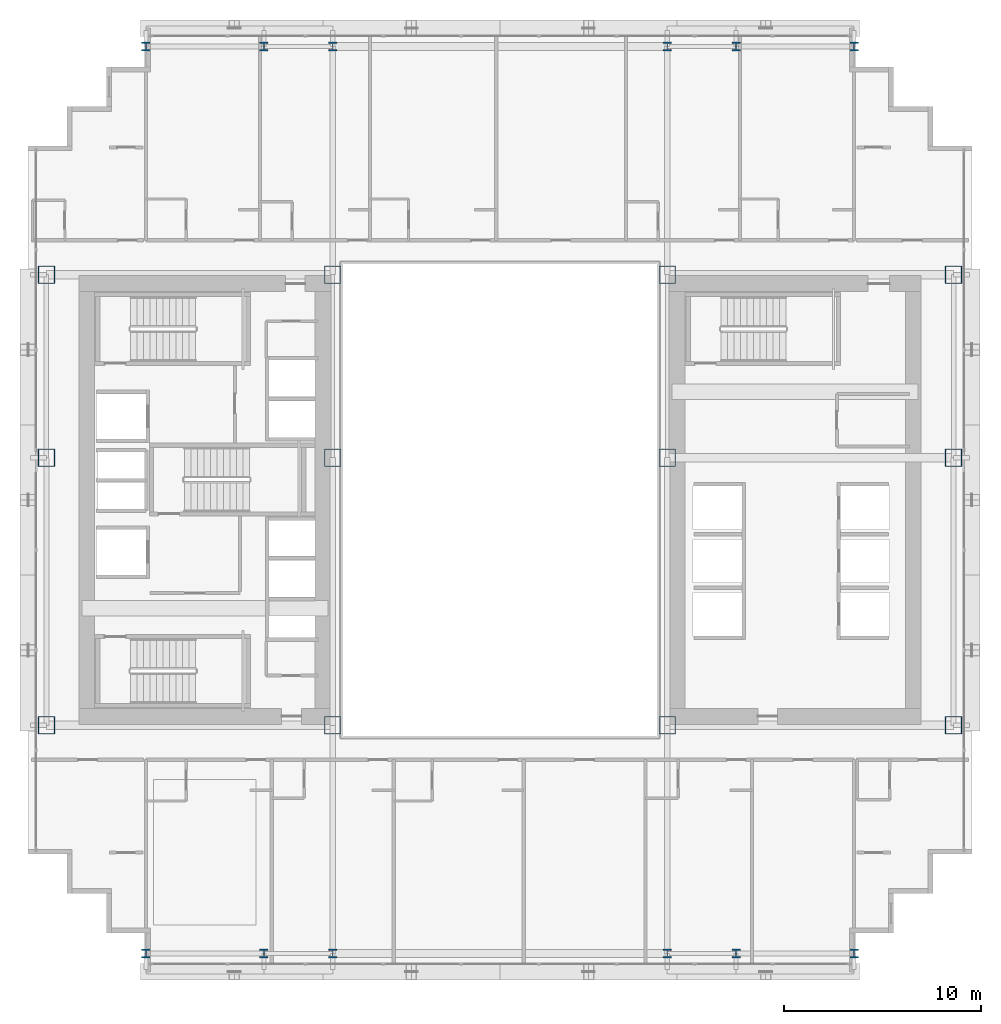
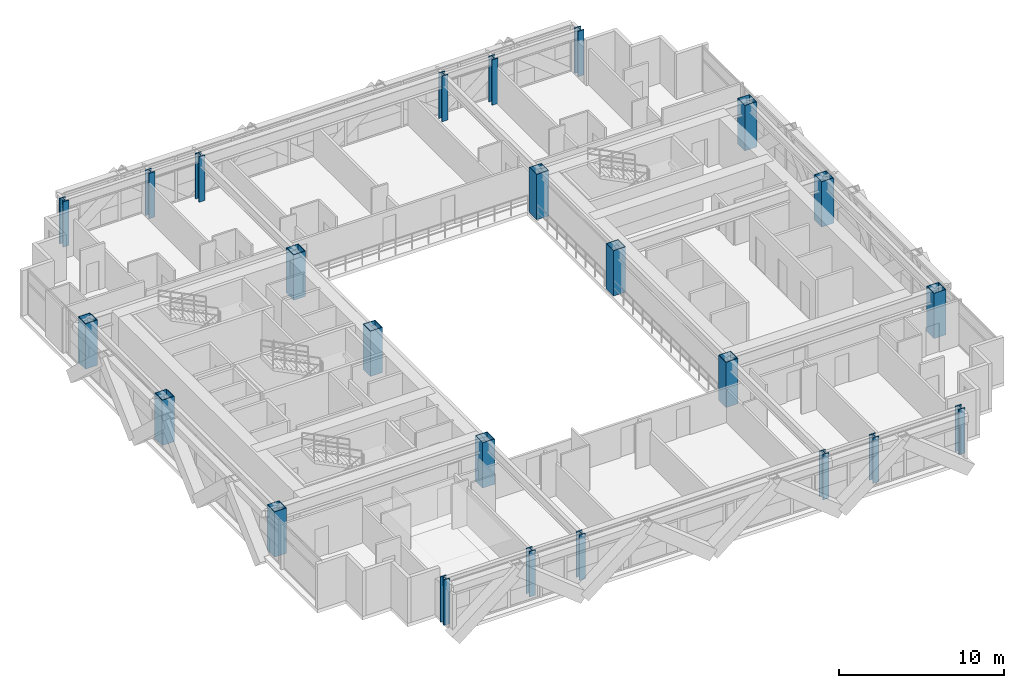
# One storey, part 1 of 35: 24 columns.
"""IFC4 building model written with IfcOpenShell, lengths in metres."""

import ifcopenshell
import ifcopenshell.guid

model = None  # the IFC model being written
_history = None  # IfcOwnerHistory: only IFC2X3 demands one
_inside = {}  # id of a spatial element -> (the spatial element, [elements in it])
_under = {}  # id of a project, library or spatial element -> (it, [spatial elements below it])
_declared = {}  # id of a project -> (the project, [libraries it declares])
_typed = {}  # id of a type object -> (the type object, [elements of that type])
_made_of = {}  # id of a material, layer set ... -> (it, [elements and type objects made of it])


def new_model(schema):
    """Start an empty IFC model of exactly this schema.

    Asked for "IFC4X3", IfcOpenShell would pick the latest addendum, in which some entities
    have other attributes; the version numbers below select the first issue.
    IFC2X3 requires an IfcOwnerHistory on every rooted entity: one is made here for all.
    """
    global model, _history
    if schema == "IFC4X3":
        model = ifcopenshell.file(schema_version=(4, 3, 0, 0))
    else:
        model = ifcopenshell.file(schema=schema)
    _inside.clear()
    _under.clear()
    _declared.clear()
    _typed.clear()
    _made_of.clear()
    _history = None
    if model.schema == "IFC2X3":
        org = make("IfcOrganization", Name="unknown")
        user = make(
            "IfcPersonAndOrganization",
            ThePerson=make("IfcPerson", FamilyName="unknown"),
            TheOrganization=org,
        )
        app = make(
            "IfcApplication",
            ApplicationDeveloper=org,
            Version="unknown",
            ApplicationFullName="unknown",
            ApplicationIdentifier="unknown",
        )
        _history = make(
            "IfcOwnerHistory",
            OwningUser=user,
            OwningApplication=app,
            ChangeAction="ADDED",
            CreationDate=0,
        )
    return model


def make(cls, **values):
    """One entity of the class cls with the attributes given. An attribute that is None is left unset."""
    return model.create_entity(
        cls, **{name: value for name, value in values.items() if value is not None}
    )


def rooted(cls, **values):
    """An entity with a GlobalId (a new one), such as an element, a storey or a relation."""
    return make(cls, GlobalId=ifcopenshell.guid.new(), OwnerHistory=_history, **values)


def si_unit(unit_type, name, prefix=None):
    """IfcSIUnit, for example si_unit("LENGTHUNIT", "METRE", prefix="MILLI")."""
    return make("IfcSIUnit", UnitType=unit_type, Prefix=prefix, Name=name)


def assignment(units):
    """IfcUnitAssignment: the units of a project."""
    return None if units is None else make("IfcUnitAssignment", Units=units)


def point(xyz):
    """IfcCartesianPoint."""
    return None if xyz is None else make("IfcCartesianPoint", Coordinates=xyz)


def direction(xyz):
    """IfcDirection."""
    return None if xyz is None else make("IfcDirection", DirectionRatios=xyz)


def frame(location, z_axis=None, x_axis=None):
    """IfcAxis2Placement3D, a coordinate frame: its origin and axes. An axis left out is left unset."""
    return make(
        "IfcAxis2Placement3D",
        Location=point(location),
        Axis=direction(z_axis),
        RefDirection=direction(x_axis),
    )


def frame_2d(location, x_axis=None):
    """IfcAxis2Placement2D, a coordinate frame in the plane: its origin and x axis."""
    return make(
        "IfcAxis2Placement2D", Location=point(location), RefDirection=direction(x_axis)
    )


def origin():
    """The frame at (0, 0, 0) with its axes left unset."""
    return frame((0.0, 0.0, 0.0))


def origin_2d():
    """The frame at (0, 0) in the plane with its x axis left unset."""
    return frame_2d((0.0, 0.0))


def place(relative_to, where):
    """IfcLocalPlacement: puts the frame where relative to a parent placement (None: the world)."""
    return make(
        "IfcLocalPlacement", PlacementRelTo=relative_to, RelativePlacement=where
    )


def context(
    kind, dimensions, precision=None, world=None, true_north=None, identifier=None
):
    """IfcGeometricRepresentationContext, for example the 3D "Model" context."""
    return make(
        "IfcGeometricRepresentationContext",
        ContextIdentifier=identifier,
        ContextType=kind,
        CoordinateSpaceDimension=dimensions,
        Precision=precision,
        WorldCoordinateSystem=world,
        TrueNorth=true_north,
    )


def subcontext(parent, identifier, kind, view, scale=None):
    """IfcGeometricRepresentationSubContext, for example "Body" below "Model"."""
    return make(
        "IfcGeometricRepresentationSubContext",
        ContextIdentifier=identifier,
        ContextType=kind,
        ParentContext=parent,
        TargetScale=scale,
        TargetView=view,
    )


def project(units=None, contexts=None):
    """IfcProject with its units and contexts."""
    return rooted(
        "IfcProject",
        Name="project",
        RepresentationContexts=contexts,
        UnitsInContext=assignment(units),
    )


def spatial(cls, under=None, at=None, **own):
    """A site, building, storey or space (cls), placed at a placement, below another one or the project."""
    s = rooted(cls, ObjectPlacement=at, **own)
    if under is not None:
        _under.setdefault(under.id(), (under, []))[1].append(s)
    return s


def profile(cls, at=None, kind="AREA", **sizes):
    """A parametric profile (cls). Its sizes go by their IFC names, for example OverallWidth=200.0."""
    return make(cls, ProfileType=kind, Position=at, **sizes)


def hollow_rectangle(**sizes):
    """IfcRectangleHollowProfileDef."""
    return profile("IfcRectangleHollowProfileDef", **sizes)


def i_section(**sizes):
    """IfcIShapeProfileDef."""
    return profile("IfcIShapeProfileDef", **sizes)


def extrude(swept, where, along, depth):
    """IfcExtrudedAreaSolid: the profile swept, set in the frame where, extruded along a direction by depth."""
    return make(
        "IfcExtrudedAreaSolid",
        SweptArea=swept,
        Position=where,
        ExtrudedDirection=direction(along),
        Depth=depth,
    )


def shape(context_of_items, identifier, shape_type, items):
    """IfcShapeRepresentation: the items that make up one representation, for example the "Body"."""
    return make(
        "IfcShapeRepresentation",
        ContextOfItems=context_of_items,
        RepresentationIdentifier=identifier,
        RepresentationType=shape_type,
        Items=items,
    )


def source(mapping_origin, context_of_items, identifier, shape_type, items):
    """IfcRepresentationMap: a shape defined once, which mapped items show again and again."""
    return make(
        "IfcRepresentationMap",
        MappingOrigin=mapping_origin,
        MappedRepresentation=shape(context_of_items, identifier, shape_type, items),
    )


def transform(
    local_origin,
    x_axis=None,
    y_axis=None,
    z_axis=None,
    scale=None,
    scale2=None,
    scale3=None,
    uniform=True,
):
    """IfcCartesianTransformationOperator3D, or its non-uniform kind. x_axis, y_axis, z_axis: its Axis1, 2, 3."""
    if uniform:
        return make(
            "IfcCartesianTransformationOperator3D",
            Axis1=direction(x_axis),
            Axis2=direction(y_axis),
            LocalOrigin=point(local_origin),
            Scale=scale,
            Axis3=direction(z_axis),
        )
    return make(
        "IfcCartesianTransformationOperator3DnonUniform",
        Axis1=direction(x_axis),
        Axis2=direction(y_axis),
        LocalOrigin=point(local_origin),
        Scale=scale,
        Axis3=direction(z_axis),
        Scale2=scale2,
        Scale3=scale3,
    )


def mapped(mapping_source, mapping_target):
    """IfcMappedItem: shows the shape of a source again, moved by a transform."""
    return make(
        "IfcMappedItem", MappingSource=mapping_source, MappingTarget=mapping_target
    )


def material(Name=None, Category=None):
    """IfcMaterial."""
    return make("IfcMaterial", Name=Name, Category=Category)


def material_profile(
    of_material, cross_section, Name=None, Category=None, Priority=None
):
    """IfcMaterialProfile: a cross section and its material."""
    return make(
        "IfcMaterialProfile",
        Name=Name,
        Material=of_material,
        Profile=cross_section,
        Priority=Priority,
        Category=Category,
    )


def profile_set(profiles, Name=None, composite=None):
    """IfcMaterialProfileSet."""
    return make(
        "IfcMaterialProfileSet",
        Name=Name,
        MaterialProfiles=profiles,
        CompositeProfile=composite,
    )


def made_of(thing, what):
    """Note that an element or type object is made of a material, layer set ...; save() writes the relation."""
    if what is not None:
        _made_of.setdefault(what.id(), (what, []))[1].append(thing)
    return thing


def type_object(cls, material=None, **own):
    """A type object (cls), such as IfcWallType, which elements share."""
    return made_of(rooted(cls, **own), material)


def element(
    cls,
    number,
    at=None,
    inside=None,
    cuts=None,
    type_object=None,
    material=None,
    context=None,
    identifier="Body",
    shape_type=None,
    held_by="IfcProductDefinitionShape",
    body=None,
    shapes=None,
    **own,
):
    """One element of the class cls, such as IfcWall. Its Tag is "e" and its number.

    at: its placement. inside: the storey or other place that contains it. cuts: it is an
    opening in that element (IfcRelVoidsElement). A single representation is given by context,
    identifier, shape_type and body (its items); several are given by shapes. held_by: the class
    of the entity that holds the representations. save() writes the other relations.
    """
    e = rooted(cls, Tag="e%d" % number, ObjectPlacement=at, **own)
    if body is not None:
        shapes = [shape(context, identifier, shape_type, body)]
    if shapes is not None:
        e.Representation = make(held_by, Representations=shapes)
    if inside is not None:
        _inside.setdefault(inside.id(), (inside, []))[1].append(e)
    if cuts is not None:
        rooted(
            "IfcRelVoidsElement", RelatingBuildingElement=cuts, RelatedOpeningElement=e
        )
    if type_object is not None:
        _typed.setdefault(type_object.id(), (type_object, []))[1].append(e)
    return made_of(e, material)


def aggregate(whole, parts):
    """IfcRelAggregates: a whole, such as a stair, and the parts it consists of."""
    return rooted("IfcRelAggregates", RelatingObject=whole, RelatedObjects=parts)


def save(model, path):
    """Write the relations noted so far, then the file.

    IfcRelAggregates (storeys below a building ...), IfcRelContainedInSpatialStructure (elements
    in a storey), IfcRelDefinesByType, IfcRelAssociatesMaterial and IfcRelDeclares: one each for
    every whole, place, type object, material and project.
    """
    for whole, parts in _under.values():
        aggregate(whole, parts)
    for where, things in _inside.values():
        rooted(
            "IfcRelContainedInSpatialStructure",
            RelatedElements=things,
            RelatingStructure=where,
        )
    for kind, things in _typed.values():
        rooted("IfcRelDefinesByType", RelatedObjects=things, RelatingType=kind)
    for what, things in _made_of.values():
        rooted("IfcRelAssociatesMaterial", RelatedObjects=things, RelatingMaterial=what)
    for by, libraries in _declared.values():
        rooted("IfcRelDeclares", RelatingContext=by, RelatedDefinitions=libraries)
    model.write(path)


model = new_model("IFC4")

# Units and contexts
model_context = context("Model", 3, precision=1e-05, world=origin(), true_north=direction((0.0, 1.0)))
body_context = subcontext(model_context, "Body", "Model", "MODEL_VIEW")
ifc_project = project(units=[si_unit("LENGTHUNIT", "METRE"), si_unit("AREAUNIT", "SQUARE_METRE"), si_unit("VOLUMEUNIT", "CUBIC_METRE"), si_unit("PLANEANGLEUNIT", "RADIAN"), si_unit("MASSUNIT", "GRAM", prefix="KILO")], contexts=[model_context])

# Site, building, storey
site_placement = place(None, origin())
site = spatial("IfcSite", under=ifc_project, at=site_placement, CompositionType="ELEMENT")
building_placement = place(site_placement, origin())
building = spatial("IfcBuilding", under=site, at=building_placement, Name="Ocotamira Hotel", CompositionType="ELEMENT")
storey_placement = place(building_placement, frame((0.0, 0.0, 49.199951171875)))
storey = spatial("IfcBuildingStorey", under=building, at=storey_placement, Name="L11", CompositionType="ELEMENT", Elevation=49.199951171875)

# Columns
ifc_material = material(Name="Steel ASTM A913 Grade 65", Category="steel")
ifc_material_profile_1 = material_profile(ifc_material, hollow_rectangle(XDim=0.85009765625, YDim=0.89990234375, WallThickness=0.0400390625, at=origin_2d()), Name="BOX900X850X40")
ifc_profile_set_1 = profile_set([ifc_material_profile_1], Name="Steel ASTM A913 Grade 65")
column_type_1 = type_object("IfcColumnType", Name="COL-BOX900", PredefinedType="COLUMN", material=ifc_profile_set_1)
shared_shape_1 = source(origin(), body_context, "Body", "SweptSolid", [
    extrude(hollow_rectangle(XDim=0.85009765625, YDim=0.89990234375, WallThickness=0.0400390625, at=origin_2d()), origin(), (0.0, 0.0, 1.0), 3.35009765625),
])
for number, where, z_axis, x_axis, name in (
    (1, (8.949951171875, 14.550048828125, 0.0), (0.0, 0.0, 1.0), (1.0, 0.0, 0.0), "L11 Column TW8_14"),
    (2, (23.5, 14.550048828125, 0.0), (0.0, 0.0, 1.0), (1.0, 0.0, 0.0), "L11 Column TW23_14"),
    (3, (40.5, 14.550048828125, 0.0), (0.0, 0.0, 1.0), (1.0, 0.0, 0.0), "L11 Column TE40_14"),
    (4, (55.050048828125, 14.550048828125, 0.0), (0.0, 0.0, 1.0), (1.0, 0.0, 0.0), "L11 Column TE55_14"),
    (5, (8.949951171875, 28.14990234375, 0.0), (0.0, 0.0, 1.0), (1.0, 0.0, 0.0), "L11 Column TW8_28"),
    (6, (23.5, 28.14990234375, 0.0), (0.0, 0.0, 1.0), (1.0, 0.0, 0.0), "L11 Column TW23_28"),
    (7, (40.5, 28.14990234375, 0.0), (0.0, 0.0, 1.0), (1.0, 0.0, 0.0), "L11 Column TE40_28"),
    (8, (55.050048828125, 28.14990234375, 0.0), (0.0, 0.0, 1.0), (1.0, 0.0, 0.0), "L11 Column TE55_28"),
    (9, (8.949951171875, 37.449951171875, 0.0), (0.0, 0.0, 1.0), (1.0, 0.0, 0.0), "L11 Column TW8_37"),
    (10, (23.5, 37.449951171875, 0.0), (0.0, 0.0, 1.0), (1.0, 0.0, 0.0), "L11 Column TW23_37"),
    (11, (40.5, 37.449951171875, 0.0), (0.0, 0.0, 1.0), (1.0, 0.0, 0.0), "L11 Column TE40_37"),
    (12, (55.050048828125, 37.449951171875, 0.0), (0.0, 0.0, 1.0), (1.0, 0.0, 0.0), "L11 Column TE55_37"),
):
    element("IfcColumn", number, at=place(storey_placement, frame(where, z_axis=z_axis, x_axis=x_axis)), inside=storey, type_object=column_type_1, Name=name, PredefinedType="COLUMN", context=body_context, shape_type="MappedRepresentation", body=[
        mapped(shared_shape_1, transform((0.0, 0.0, 0.0), scale=1.0)),
    ])
ifc_material_profile_2 = material_profile(ifc_material, i_section(OverallWidth=0.422119140625, OverallDepth=0.465087890625, WebThickness=0.044921875, FlangeThickness=0.072509765625, FilletRadius=0.02490234375, at=origin_2d()), Name="W14X398")
ifc_profile_set_2 = profile_set([ifc_material_profile_2], Name="Steel ASTM A913 Grade 65")
column_type_2 = type_object("IfcColumnType", Name="COL-W14X398", PredefinedType="COLUMN", material=ifc_profile_set_2)
shared_shape_2 = source(origin(), body_context, "Body", "SweptSolid", [
    extrude(i_section(OverallWidth=0.422119140625, OverallDepth=0.465087890625, WebThickness=0.044921875, FlangeThickness=0.072509765625, FilletRadius=0.02490234375, at=origin_2d()), origin(), (0.0, 0.0, 1.0), 3.35009765625),
])
for number, where, z_axis, x_axis, name in (
    (13, (14.0, 2.949951171875, 0.0), (0.0, 0.0, 1.0), (1.0, 0.0, 0.0), "L11 Column NSP1_14"),
    (14, (20.0, 2.949951171875, 0.0), (0.0, 0.0, 1.0), (1.0, 0.0, 0.0), "L11 Column NSP1_20"),
    (15, (23.5, 2.949951171875, 0.0), (0.0, 0.0, 1.0), (1.0, 0.0, 0.0), "L11 Column NSP1_23"),
    (16, (40.5, 2.949951171875, 0.0), (0.0, 0.0, 1.0), (1.0, 0.0, 0.0), "L11 Column NSP1_40"),
    (17, (44.0, 2.949951171875, 0.0), (0.0, 0.0, 1.0), (1.0, 0.0, 0.0), "L11 Column NSP1_44"),
    (18, (50.0, 2.949951171875, 0.0), (0.0, 0.0, 1.0), (1.0, 0.0, 0.0), "L11 Column NSP1_50"),
    (19, (14.0, 49.050048828125, 0.0), (0.0, 0.0, 1.0), (1.0, 0.0, 0.0), "L11 Column NSP2_14"),
    (20, (20.0, 49.050048828125, 0.0), (0.0, 0.0, 1.0), (1.0, 0.0, 0.0), "L11 Column NSP2_20"),
    (21, (23.5, 49.050048828125, 0.0), (0.0, 0.0, 1.0), (1.0, 0.0, 0.0), "L11 Column NSP2_23"),
    (22, (40.5, 49.050048828125, 0.0), (0.0, 0.0, 1.0), (1.0, 0.0, 0.0), "L11 Column NSP2_40"),
    (23, (44.0, 49.050048828125, 0.0), (0.0, 0.0, 1.0), (1.0, 0.0, 0.0), "L11 Column NSP2_44"),
    (24, (50.0, 49.050048828125, 0.0), (0.0, 0.0, 1.0), (1.0, 0.0, 0.0), "L11 Column NSP2_50"),
):
    element("IfcColumn", number, at=place(storey_placement, frame(where, z_axis=z_axis, x_axis=x_axis)), inside=storey, type_object=column_type_2, Name=name, PredefinedType="COLUMN", context=body_context, shape_type="MappedRepresentation", body=[
        mapped(shared_shape_2, transform((0.0, 0.0, 0.0), scale=1.0)),
    ])

save(model, "model.ifc")
